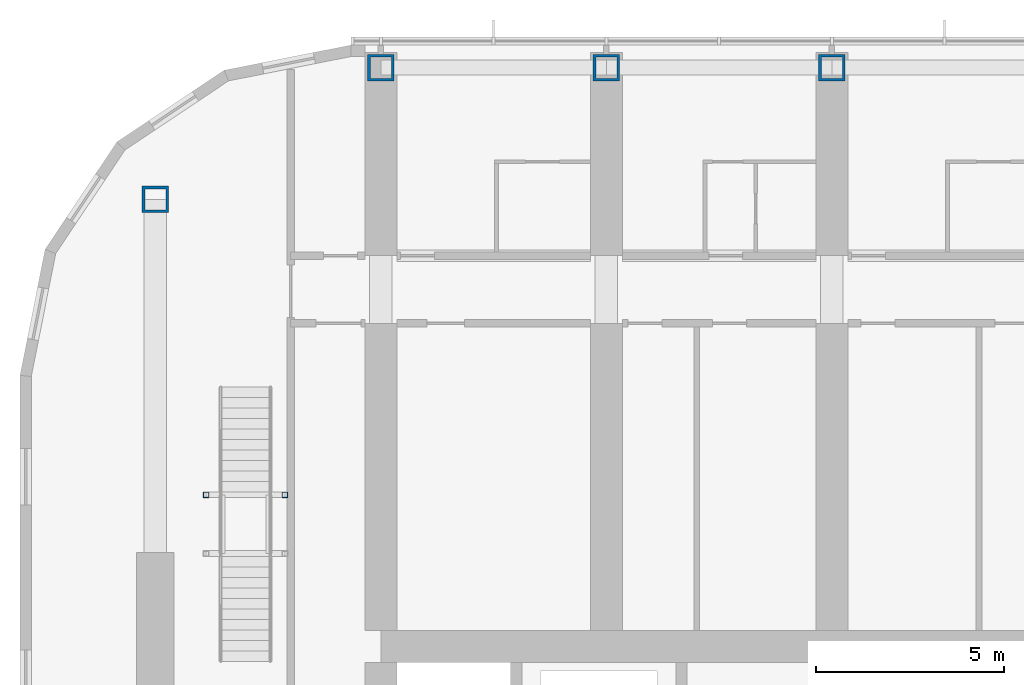
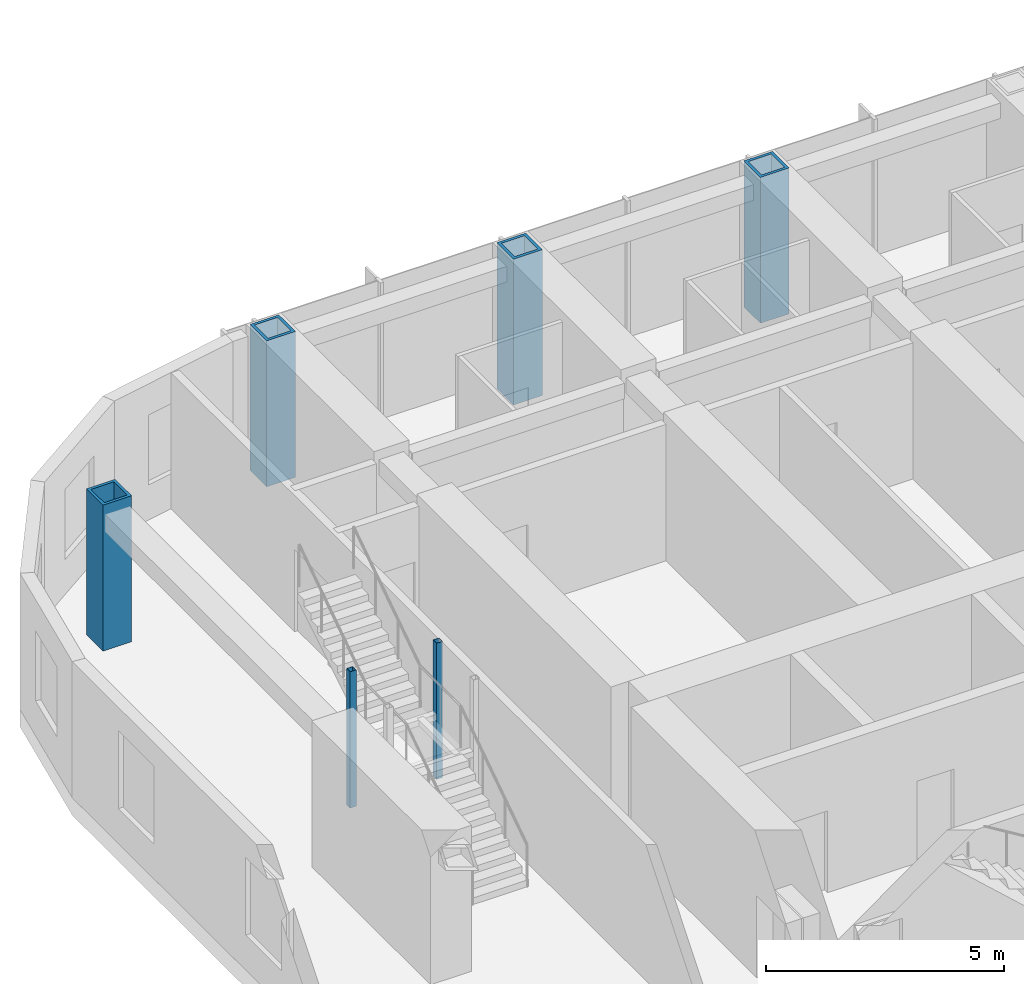
# One storey, part 4 of 29: 6 columns.
"""IFC4 building model written with IfcOpenShell, lengths in metres."""

import ifcopenshell
import ifcopenshell.guid

model = None  # the IFC model being written
_history = None  # IfcOwnerHistory: only IFC2X3 demands one
_inside = {}  # id of a spatial element -> (the spatial element, [elements in it])
_under = {}  # id of a project, library or spatial element -> (it, [spatial elements below it])
_declared = {}  # id of a project -> (the project, [libraries it declares])
_typed = {}  # id of a type object -> (the type object, [elements of that type])
_made_of = {}  # id of a material, layer set ... -> (it, [elements and type objects made of it])


def new_model(schema):
    """Start an empty IFC model of exactly this schema.

    Asked for "IFC4X3", IfcOpenShell would pick the latest addendum, in which some entities
    have other attributes; the version numbers below select the first issue.
    IFC2X3 requires an IfcOwnerHistory on every rooted entity: one is made here for all.
    """
    global model, _history
    if schema == "IFC4X3":
        model = ifcopenshell.file(schema_version=(4, 3, 0, 0))
    else:
        model = ifcopenshell.file(schema=schema)
    _inside.clear()
    _under.clear()
    _declared.clear()
    _typed.clear()
    _made_of.clear()
    _history = None
    if model.schema == "IFC2X3":
        org = make("IfcOrganization", Name="unknown")
        user = make(
            "IfcPersonAndOrganization",
            ThePerson=make("IfcPerson", FamilyName="unknown"),
            TheOrganization=org,
        )
        app = make(
            "IfcApplication",
            ApplicationDeveloper=org,
            Version="unknown",
            ApplicationFullName="unknown",
            ApplicationIdentifier="unknown",
        )
        _history = make(
            "IfcOwnerHistory",
            OwningUser=user,
            OwningApplication=app,
            ChangeAction="ADDED",
            CreationDate=0,
        )
    return model


def make(cls, **values):
    """One entity of the class cls with the attributes given. An attribute that is None is left unset."""
    return model.create_entity(
        cls, **{name: value for name, value in values.items() if value is not None}
    )


def rooted(cls, **values):
    """An entity with a GlobalId (a new one), such as an element, a storey or a relation."""
    return make(cls, GlobalId=ifcopenshell.guid.new(), OwnerHistory=_history, **values)


def si_unit(unit_type, name, prefix=None):
    """IfcSIUnit, for example si_unit("LENGTHUNIT", "METRE", prefix="MILLI")."""
    return make("IfcSIUnit", UnitType=unit_type, Prefix=prefix, Name=name)


def assignment(units):
    """IfcUnitAssignment: the units of a project."""
    return None if units is None else make("IfcUnitAssignment", Units=units)


def point(xyz):
    """IfcCartesianPoint."""
    return None if xyz is None else make("IfcCartesianPoint", Coordinates=xyz)


def direction(xyz):
    """IfcDirection."""
    return None if xyz is None else make("IfcDirection", DirectionRatios=xyz)


def frame(location, z_axis=None, x_axis=None):
    """IfcAxis2Placement3D, a coordinate frame: its origin and axes. An axis left out is left unset."""
    return make(
        "IfcAxis2Placement3D",
        Location=point(location),
        Axis=direction(z_axis),
        RefDirection=direction(x_axis),
    )


def frame_2d(location, x_axis=None):
    """IfcAxis2Placement2D, a coordinate frame in the plane: its origin and x axis."""
    return make(
        "IfcAxis2Placement2D", Location=point(location), RefDirection=direction(x_axis)
    )


def origin():
    """The frame at (0, 0, 0) with its axes left unset."""
    return frame((0.0, 0.0, 0.0))


def origin_2d():
    """The frame at (0, 0) in the plane with its x axis left unset."""
    return frame_2d((0.0, 0.0))


def place(relative_to, where):
    """IfcLocalPlacement: puts the frame where relative to a parent placement (None: the world)."""
    return make(
        "IfcLocalPlacement", PlacementRelTo=relative_to, RelativePlacement=where
    )


def context(
    kind, dimensions, precision=None, world=None, true_north=None, identifier=None
):
    """IfcGeometricRepresentationContext, for example the 3D "Model" context."""
    return make(
        "IfcGeometricRepresentationContext",
        ContextIdentifier=identifier,
        ContextType=kind,
        CoordinateSpaceDimension=dimensions,
        Precision=precision,
        WorldCoordinateSystem=world,
        TrueNorth=true_north,
    )


def subcontext(parent, identifier, kind, view, scale=None):
    """IfcGeometricRepresentationSubContext, for example "Body" below "Model"."""
    return make(
        "IfcGeometricRepresentationSubContext",
        ContextIdentifier=identifier,
        ContextType=kind,
        ParentContext=parent,
        TargetScale=scale,
        TargetView=view,
    )


def project(units=None, contexts=None):
    """IfcProject with its units and contexts."""
    return rooted(
        "IfcProject",
        Name="project",
        RepresentationContexts=contexts,
        UnitsInContext=assignment(units),
    )


def spatial(cls, under=None, at=None, **own):
    """A site, building, storey or space (cls), placed at a placement, below another one or the project."""
    s = rooted(cls, ObjectPlacement=at, **own)
    if under is not None:
        _under.setdefault(under.id(), (under, []))[1].append(s)
    return s


def profile(cls, at=None, kind="AREA", **sizes):
    """A parametric profile (cls). Its sizes go by their IFC names, for example OverallWidth=200.0."""
    return make(cls, ProfileType=kind, Position=at, **sizes)


def hollow_rectangle(**sizes):
    """IfcRectangleHollowProfileDef."""
    return profile("IfcRectangleHollowProfileDef", **sizes)


def extrude(swept, where, along, depth):
    """IfcExtrudedAreaSolid: the profile swept, set in the frame where, extruded along a direction by depth."""
    return make(
        "IfcExtrudedAreaSolid",
        SweptArea=swept,
        Position=where,
        ExtrudedDirection=direction(along),
        Depth=depth,
    )


def shape(context_of_items, identifier, shape_type, items):
    """IfcShapeRepresentation: the items that make up one representation, for example the "Body"."""
    return make(
        "IfcShapeRepresentation",
        ContextOfItems=context_of_items,
        RepresentationIdentifier=identifier,
        RepresentationType=shape_type,
        Items=items,
    )


def material(Name=None, Category=None):
    """IfcMaterial."""
    return make("IfcMaterial", Name=Name, Category=Category)


def material_profile(
    of_material, cross_section, Name=None, Category=None, Priority=None
):
    """IfcMaterialProfile: a cross section and its material."""
    return make(
        "IfcMaterialProfile",
        Name=Name,
        Material=of_material,
        Profile=cross_section,
        Priority=Priority,
        Category=Category,
    )


def profile_set(profiles, Name=None, composite=None):
    """IfcMaterialProfileSet."""
    return make(
        "IfcMaterialProfileSet",
        Name=Name,
        MaterialProfiles=profiles,
        CompositeProfile=composite,
    )


def made_of(thing, what):
    """Note that an element or type object is made of a material, layer set ...; save() writes the relation."""
    if what is not None:
        _made_of.setdefault(what.id(), (what, []))[1].append(thing)
    return thing


def type_object(cls, material=None, **own):
    """A type object (cls), such as IfcWallType, which elements share."""
    return made_of(rooted(cls, **own), material)


def element(
    cls,
    number,
    at=None,
    inside=None,
    cuts=None,
    type_object=None,
    material=None,
    context=None,
    identifier="Body",
    shape_type=None,
    held_by="IfcProductDefinitionShape",
    body=None,
    shapes=None,
    **own,
):
    """One element of the class cls, such as IfcWall. Its Tag is "e" and its number.

    at: its placement. inside: the storey or other place that contains it. cuts: it is an
    opening in that element (IfcRelVoidsElement). A single representation is given by context,
    identifier, shape_type and body (its items); several are given by shapes. held_by: the class
    of the entity that holds the representations. save() writes the other relations.
    """
    e = rooted(cls, Tag="e%d" % number, ObjectPlacement=at, **own)
    if body is not None:
        shapes = [shape(context, identifier, shape_type, body)]
    if shapes is not None:
        e.Representation = make(held_by, Representations=shapes)
    if inside is not None:
        _inside.setdefault(inside.id(), (inside, []))[1].append(e)
    if cuts is not None:
        rooted(
            "IfcRelVoidsElement", RelatingBuildingElement=cuts, RelatedOpeningElement=e
        )
    if type_object is not None:
        _typed.setdefault(type_object.id(), (type_object, []))[1].append(e)
    return made_of(e, material)


def aggregate(whole, parts):
    """IfcRelAggregates: a whole, such as a stair, and the parts it consists of."""
    return rooted("IfcRelAggregates", RelatingObject=whole, RelatedObjects=parts)


def save(model, path):
    """Write the relations noted so far, then the file.

    IfcRelAggregates (storeys below a building ...), IfcRelContainedInSpatialStructure (elements
    in a storey), IfcRelDefinesByType, IfcRelAssociatesMaterial and IfcRelDeclares: one each for
    every whole, place, type object, material and project.
    """
    for whole, parts in _under.values():
        aggregate(whole, parts)
    for where, things in _inside.values():
        rooted(
            "IfcRelContainedInSpatialStructure",
            RelatedElements=things,
            RelatingStructure=where,
        )
    for kind, things in _typed.values():
        rooted("IfcRelDefinesByType", RelatedObjects=things, RelatingType=kind)
    for what, things in _made_of.values():
        rooted("IfcRelAssociatesMaterial", RelatedObjects=things, RelatingMaterial=what)
    for by, libraries in _declared.values():
        rooted("IfcRelDeclares", RelatingContext=by, RelatedDefinitions=libraries)
    model.write(path)


model = new_model("IFC4")

# Units and contexts
model_context = context("Model", 3, precision=1e-05, world=origin(), true_north=direction((0.0, 1.0)))
body_context = subcontext(model_context, "Body", "Model", "MODEL_VIEW")
ifc_project = project(units=[si_unit("LENGTHUNIT", "METRE"), si_unit("AREAUNIT", "SQUARE_METRE"), si_unit("VOLUMEUNIT", "CUBIC_METRE"), si_unit("PLANEANGLEUNIT", "RADIAN"), si_unit("MASSUNIT", "GRAM", prefix="KILO")], contexts=[model_context])

# Site, building, storey
site_placement = place(None, origin())
site = spatial("IfcSite", under=ifc_project, at=site_placement, CompositionType="ELEMENT")
building_placement = place(site_placement, origin())
building = spatial("IfcBuilding", under=site, at=building_placement, Name="Orbita Commons", CompositionType="ELEMENT")
storey_placement = place(building_placement, frame((0.0, 0.0, 148.60009765625)))
storey = spatial("IfcBuildingStorey", under=building, at=storey_placement, Name="L36", CompositionType="ELEMENT", Elevation=148.60009765625)

# Columns
ifc_material_1 = material(Name="Steel ASTM A992", Category="steel")
ifc_material_profile_1 = material_profile(ifc_material_1, hollow_rectangle(XDim=0.14990234375, YDim=0.14990234375, WallThickness=0.008056640625, at=origin_2d()), Name="SHS 150x150x8")
ifc_profile_set_1 = profile_set([ifc_material_profile_1], Name="Steel ASTM A992")
column_type_1 = type_object("IfcColumnType", Name="Landing post SHS 150x150x8", PredefinedType="COLUMN", material=ifc_profile_set_1)
for number, where, z_axis, x_axis, name in (
    (1, (13.35009765625, 42.235107421875, 0.0), (0.0, 0.0, 1.0), (1.0, 0.0, 0.0), "Neighbourhood stair L36 to L37 landing post 3"),
    (2, (15.449951171875, 42.235107421875, 0.0), (0.0, 0.0, 1.0), (1.0, 0.0, 0.0), "Neighbourhood stair L36 to L37 landing post 4"),
):
    element("IfcColumn", number, at=place(storey_placement, frame(where, z_axis=z_axis, x_axis=x_axis)), inside=storey, type_object=column_type_1, Name=name, PredefinedType="COLUMN", context=body_context, shape_type="SweptSolid", body=[
        extrude(hollow_rectangle(XDim=0.14990234375, YDim=0.14990234375, WallThickness=0.008056640625, at=origin_2d()), origin(), (0.0, 0.0, 1.0), 3.5),
    ])
ifc_material_2 = material(Name="Steel ASTM A572 Gr 50 welded plate", Category="steel")
ifc_material_profile_2 = material_profile(ifc_material_2, hollow_rectangle(XDim=0.699951171875, YDim=0.699951171875, WallThickness=0.070068359375, at=origin_2d()), Name="BOX 700x700x70")
ifc_profile_set_2 = profile_set([ifc_material_profile_2], Name="Steel ASTM A572 Gr 50 welded plate")
column_type_2 = type_object("IfcColumnType", Name="Steel column BOX 700x700x70", PredefinedType="COLUMN", material=ifc_profile_set_2)
for number, where, z_axis, x_axis, name in (
    (3, (18.0, 53.60009765625, 0.0), (0.0, 0.0, 1.0), (1.0, 0.0, 0.0), "Column 4/E L36"),
    (4, (24.0, 53.60009765625, 0.0), (0.0, 0.0, 1.0), (1.0, 0.0, 0.0), "Column 5/E L36"),
    (5, (30.0, 53.60009765625, 0.0), (0.0, 0.0, 1.0), (1.0, 0.0, 0.0), "Column 6/E L36"),
    (6, (12.0, 50.10009765625, 0.0), (0.0, 0.0, 1.0), (1.0, 0.0, 0.0), "Column 3/50.1 L36"),
):
    element("IfcColumn", number, at=place(storey_placement, frame(where, z_axis=z_axis, x_axis=x_axis)), inside=storey, type_object=column_type_2, Name=name, PredefinedType="COLUMN", context=body_context, shape_type="SweptSolid", body=[
        extrude(hollow_rectangle(XDim=0.699951171875, YDim=0.699951171875, WallThickness=0.070068359375, at=origin_2d()), origin(), (0.0, 0.0, 1.0), 3.75),
    ])

save(model, "model.ifc")
